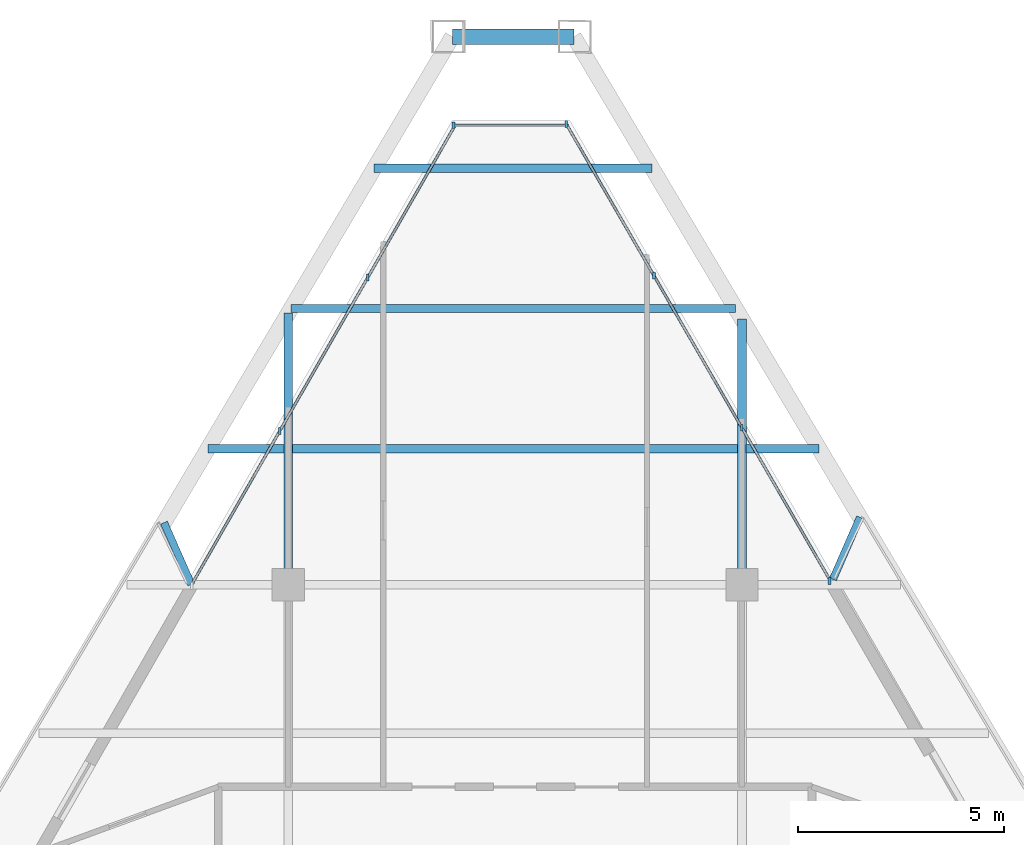
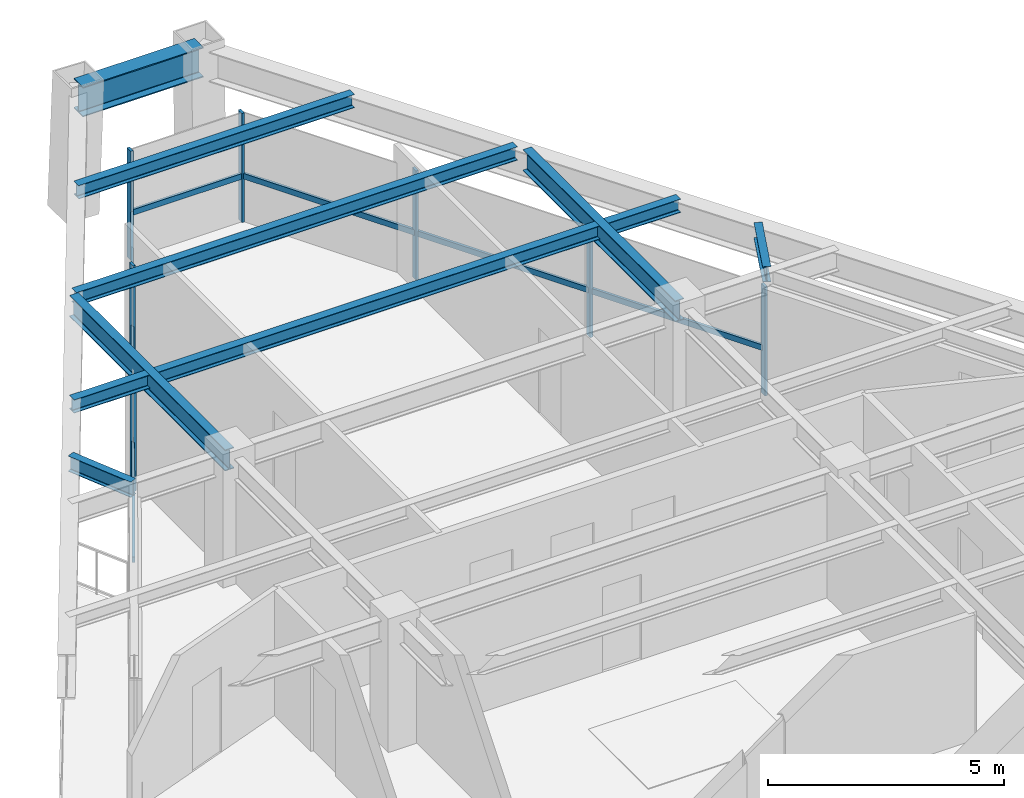
# One storey, part 7 of 13: 14 members, 10 beams, 3 elements without a shape of their own.
"""IFC4 building model written with IfcOpenShell, lengths in metres."""

from ifc_helpers import new_model, si_unit, direction, frame, origin, origin_2d, place, context, subcontext, project, spatial, rectangle, i_section, extrude, source, transform, mapped, material, material_profile, profile_set, type_object, type_shapes, element, aggregate, save


model = new_model("IFC4")

# Units and contexts
model_context = context("Model", 3, precision=1e-05, world=origin(), true_north=direction((0.0, 1.0)))
body_context = subcontext(model_context, "Body", "Model", "MODEL_VIEW")
ifc_project = project(units=[si_unit("LENGTHUNIT", "METRE"), si_unit("AREAUNIT", "SQUARE_METRE"), si_unit("VOLUMEUNIT", "CUBIC_METRE"), si_unit("PLANEANGLEUNIT", "RADIAN"), si_unit("MASSUNIT", "GRAM", prefix="KILO")], contexts=[model_context])

# Site, building, storey
site_placement = place(None, origin())
site = spatial("IfcSite", under=ifc_project, at=site_placement, CompositionType="ELEMENT")
building_placement = place(site_placement, origin())
building = spatial("IfcBuilding", under=site, at=building_placement, Name="Varnakhor Terracotta Tower", CompositionType="ELEMENT")
storey_placement = place(building_placement, frame((0.0, 0.0, 293.699951171875)))
storey = spatial("IfcBuildingStorey", under=building, at=storey_placement, Name="L77", CompositionType="ELEMENT", Elevation=293.699951171875)

# Beams
ifc_material_1 = material(Name="Steel S355", Category="steel")
ifc_material_profile_1 = material_profile(ifc_material_1, i_section(OverallWidth=0.202880859375, OverallDepth=0.346923828125, WebThickness=0.0078125, FlangeThickness=0.013427734375, FilletRadius=0.01806640625, at=origin_2d()), Name="W14X43")
ifc_profile_set_1 = profile_set([ifc_material_profile_1], Name="Steel S355")
beam_type_1 = type_object("IfcBeamType", Name="JST-W14X43", PredefinedType="JOIST", material=ifc_profile_set_1)
shared_shape_1 = source(origin(), body_context, "Body", "SweptSolid", [
    extrude(i_section(OverallWidth=0.202880859375, OverallDepth=0.346923828125, WebThickness=0.0078125, FlangeThickness=0.013427734375, FilletRadius=0.01806640625, at=origin_2d()), origin(), (0.0, 0.0, 1.0), 10.7939453125),
])
beam_1_placement = place(storey_placement, frame((-5.39697265625, 34.800048828125, 3.066650390625), z_axis=(1.0, 0.0, 0.0), x_axis=(0.0, 1.0, 0.0)))
element("IfcBeam", 1, at=beam_1_placement, inside=storey, type_object=beam_type_1, Name="L77 Composite Floor Joist 7-2", PredefinedType="JOIST", context=body_context, shape_type="MappedRepresentation", body=[
    mapped(shared_shape_1, transform((0.0, 0.0, 0.0), scale=1.0)),
])
shared_shape_2 = source(origin(), body_context, "Body", "SweptSolid", [
    extrude(i_section(OverallWidth=0.202880859375, OverallDepth=0.346923828125, WebThickness=0.0078125, FlangeThickness=0.013427734375, FilletRadius=0.01806640625, at=origin_2d()), origin(), (0.0, 0.0, 1.0), 6.74169921875),
])
beam_2_placement = place(storey_placement, frame((-3.416259765625, 41.60009765625, 3.066650390625), z_axis=(1.0, 0.0, 0.0), x_axis=(0.0, 1.0, 0.0)))
element("IfcBeam", 2, at=beam_2_placement, inside=storey, type_object=beam_type_1, Name="L77 Composite Floor Joist 9-1", PredefinedType="JOIST", context=body_context, shape_type="MappedRepresentation", body=[
    mapped(shared_shape_2, transform((0.0, 0.0, 0.0), scale=1.0)),
])
ifc_material_profile_2 = material_profile(ifc_material_1, i_section(OverallWidth=0.381103515625, OverallDepth=0.77294921875, WebThickness=0.01708984375, FlangeThickness=0.027099609375, FilletRadius=0.01806640625, at=origin_2d()), Name="W30X173")
ifc_profile_set_2 = profile_set([ifc_material_profile_2], Name="Steel S355")
beam_type_2 = type_object("IfcBeamType", Name="BM-W30X173", PredefinedType="BEAM", material=ifc_profile_set_2)
shared_shape_3 = source(origin(), body_context, "Body", "SweptSolid", [
    extrude(i_section(OverallWidth=0.381103515625, OverallDepth=0.77294921875, WebThickness=0.01708984375, FlangeThickness=0.027099609375, FilletRadius=0.01806640625, at=origin_2d()), origin(), (0.0, 0.0, 1.0), 2.945068359375),
])
beam_3_placement = place(storey_placement, frame((1.423583984375, 44.793212890625, 2.853515625), z_axis=(-1.0, 0.0, 0.0), x_axis=(0.0, -1.0, 0.0)))
element("IfcBeam", 3, at=beam_3_placement, inside=storey, type_object=beam_type_2, Name="L77 Perimeter Spandrel 5", PredefinedType="BEAM", context=body_context, shape_type="MappedRepresentation", body=[
    mapped(shared_shape_3, transform((0.0, 0.0, 0.0), scale=1.0)),
])
ifc_material_profile_3 = material_profile(ifc_material_1, i_section(OverallWidth=0.214111328125, OverallDepth=0.549072265625, WebThickness=0.014892578125, FlangeThickness=0.02392578125, FilletRadius=0.01806640625, at=origin_2d()), Name="W21X93")
ifc_profile_set_3 = profile_set([ifc_material_profile_3], Name="Steel S355")
beam_type_3 = type_object("IfcBeamType", Name="BM-W21X93", PredefinedType="BEAM", material=ifc_profile_set_3)
shared_shape_4 = source(origin(), body_context, "Body", "SweptSolid", [
    extrude(i_section(OverallWidth=0.214111328125, OverallDepth=0.549072265625, WebThickness=0.014892578125, FlangeThickness=0.02392578125, FilletRadius=0.01806640625, at=origin_2d()), origin(), (0.0, 0.0, 1.0), 6.58837890625),
])
beam_4_placement = place(storey_placement, frame((-5.5, 31.5, 2.965576171875), z_axis=(0.0, 1.0, 0.0), x_axis=(-1.0, 0.0, 0.0)))
element("IfcBeam", 4, at=beam_4_placement, inside=storey, type_object=beam_type_3, Name="L77 Primary Girder NS3-W", PredefinedType="BEAM", context=body_context, shape_type="MappedRepresentation", body=[
    mapped(shared_shape_4, transform((0.0, 0.0, 0.0), scale=1.0)),
])
shared_shape_5 = source(origin(), body_context, "Body", "SweptSolid", [
    extrude(i_section(OverallWidth=0.214111328125, OverallDepth=0.549072265625, WebThickness=0.014892578125, FlangeThickness=0.02392578125, FilletRadius=0.01806640625, at=origin_2d()), origin(), (0.0, 0.0, 1.0), 6.448974609375),
])
beam_5_placement = place(storey_placement, frame((5.5, 31.5, 2.965576171875), z_axis=(0.0, 1.0, 0.0), x_axis=(-1.0, 0.0, 0.0)))
element("IfcBeam", 5, at=beam_5_placement, inside=storey, type_object=beam_type_3, Name="L77 Primary Girder NS3-E", PredefinedType="BEAM", context=body_context, shape_type="MappedRepresentation", body=[
    mapped(shared_shape_5, transform((0.0, 0.0, 0.0), scale=1.0)),
])
shared_shape_6 = source(origin(), body_context, "Body", "SweptSolid", [
    extrude(i_section(OverallWidth=0.202880859375, OverallDepth=0.346923828125, WebThickness=0.0078125, FlangeThickness=0.013427734375, FilletRadius=0.01806640625, at=origin_2d()), origin(), (0.0, 0.0, 1.0), 1.848388671875),
])
beam_6_placement = place(storey_placement, frame((-7.451416015625, 34.800048828125, 3.066650390625), z_axis=(1.0, 0.0, 0.0), x_axis=(0.0, 1.0, 0.0)))
element("IfcBeam", 6, at=beam_6_placement, inside=storey, type_object=beam_type_1, Name="L77 Composite Floor Joist 7-1", PredefinedType="JOIST", context=body_context, shape_type="MappedRepresentation", body=[
    mapped(shared_shape_6, transform((0.0, 0.0, 0.0), scale=1.0)),
])
shared_shape_7 = source(origin(), body_context, "Body", "SweptSolid", [
    extrude(i_section(OverallWidth=0.202880859375, OverallDepth=0.346923828125, WebThickness=0.0078125, FlangeThickness=0.013427734375, FilletRadius=0.01806640625, at=origin_2d()), origin(), (0.0, 0.0, 1.0), 1.7724609375),
])
beam_7_placement = place(storey_placement, frame((5.60302734375, 34.800048828125, 3.066650390625), z_axis=(1.0, 0.0, 0.0), x_axis=(0.0, 1.0, 0.0)))
element("IfcBeam", 7, at=beam_7_placement, inside=storey, type_object=beam_type_1, Name="L77 Composite Floor Joist 7-3", PredefinedType="JOIST", context=body_context, shape_type="MappedRepresentation", body=[
    mapped(shared_shape_7, transform((0.0, 0.0, 0.0), scale=1.0)),
])
shared_shape_8 = source(origin(), body_context, "Body", "SweptSolid", [
    extrude(i_section(OverallWidth=0.202880859375, OverallDepth=0.346923828125, WebThickness=0.0078125, FlangeThickness=0.013427734375, FilletRadius=0.01806640625, at=origin_2d()), origin(), (0.0, 0.0, 1.0), 10.7841796875),
])
beam_8_placement = place(storey_placement, frame((-5.433837890625, 38.199951171875, 3.066650390625), z_axis=(1.0, 0.0, 0.0), x_axis=(0.0, 1.0, 0.0)))
element("IfcBeam", 8, at=beam_8_placement, inside=storey, type_object=beam_type_1, Name="L77 Composite Floor Joist 8-1", PredefinedType="JOIST", context=body_context, shape_type="MappedRepresentation", body=[
    mapped(shared_shape_8, transform((0.0, 0.0, 0.0), scale=1.0)),
])

# Curtain wall, members
ifc_material_2 = material(Name="Anodised Aluminium Curtain Wall System", Category="aluminium")
curtain_wall_type = type_object("IfcCurtainWallType", Name="CW-SYS-HOTEL-LOGGIA", PredefinedType="NOTDEFINED", material=ifc_material_2)
curtain_wall_1_placement = place(storey_placement, origin())
curtain_wall_1 = element("IfcCurtainWall", 9, at=curtain_wall_1_placement, inside=storey, type_object=curtain_wall_type, Name="L77 W Facet Curtain Wall 2", PredefinedType="NOTDEFINED")
ifc_material_3 = material(Name="Anodised Aluminium 6063-T6", Category="aluminium")
ifc_material_profile_4 = material_profile(ifc_material_3, rectangle(XDim=0.06494140625, YDim=0.159912109375, at=origin_2d()), Name="ALU MULLION 65x160")
ifc_profile_set_4 = profile_set([ifc_material_profile_4], Name="Anodised Aluminium 6063-T6")
member_type_1 = type_object("IfcMemberType", Name="CWM-04", PredefinedType="MULLION", material=ifc_profile_set_4)
shared_shape_9 = source(origin(), body_context, "Body", "SweptSolid", [
    extrude(rectangle(XDim=0.06494140625, YDim=0.159912109375, at=origin_2d()), origin(), (0.0, 0.0, 1.0), 2.820068359375),
])
type_shapes(member_type_1, [shared_shape_9])
member_1_placement = place(storey_placement, frame((-5.706787109375, 35.229248046875, 0.0), z_axis=(0.0, 0.0, 1.0), x_axis=(1.0, 0.0, 0.0)))
member_1 = element("IfcMember", 10, at=member_1_placement, type_object=member_type_1, Name="L77 W Facet Curtain Wall 2 Mullion 2", PredefinedType="MULLION", context=body_context, shape_type="MappedRepresentation", body=[
    mapped(shared_shape_9, transform((0.0, 0.0, 0.0), scale=1.0)),
])
member_2_placement = place(storey_placement, frame((-3.5712890625, 38.9521484375, 0.0), z_axis=(0.0, 0.0, 1.0), x_axis=(1.0, 0.0, 0.0)))
member_2 = element("IfcMember", 11, at=member_2_placement, type_object=member_type_1, Name="L77 W Facet Curtain Wall 2 Mullion 3", PredefinedType="MULLION", context=body_context, shape_type="MappedRepresentation", body=[
    mapped(shared_shape_9, transform((0.0, 0.0, 0.0), scale=1.0)),
])

# Curtain wall, member
curtain_wall_2_placement = place(storey_placement, origin())
curtain_wall_2 = element("IfcCurtainWall", 12, at=curtain_wall_2_placement, inside=storey, type_object=curtain_wall_type, Name="L77 Facet Curtain Wall 2", PredefinedType="NOTDEFINED")
member_3_placement = place(storey_placement, frame((-1.494873046875, 42.640869140625, 0.0), z_axis=(0.0, 0.0, 1.0), x_axis=(1.0, 0.0, 0.0)))
member_3 = element("IfcMember", 13, at=member_3_placement, type_object=member_type_1, Name="L77 Facet Curtain Wall 2 Mullion 1", PredefinedType="MULLION", context=body_context, shape_type="MappedRepresentation", body=[
    mapped(shared_shape_9, transform((0.0, 0.0, 0.0), scale=1.0)),
])

# Curtain wall, members
curtain_wall_3_placement = place(storey_placement, origin())
curtain_wall_3 = element("IfcCurtainWall", 14, at=curtain_wall_3_placement, inside=storey, type_object=curtain_wall_type, Name="L77 E Facet Curtain Wall 1", PredefinedType="NOTDEFINED")
member_4_placement = place(storey_placement, frame((1.24169921875, 42.6748046875, 0.0), z_axis=(0.0, 0.0, 1.0), x_axis=(1.0, 0.0, 0.0)))
member_4 = element("IfcMember", 15, at=member_4_placement, type_object=member_type_1, Name="L77 E Facet Curtain Wall 1 Mullion 1", PredefinedType="MULLION", context=body_context, shape_type="MappedRepresentation", body=[
    mapped(shared_shape_9, transform((0.0, 0.0, 0.0), scale=1.0)),
])
member_5_placement = place(storey_placement, frame((3.37060546875, 38.992919921875, 0.0), z_axis=(0.0, 0.0, 1.0), x_axis=(1.0, 0.0, 0.0)))
member_5 = element("IfcMember", 16, at=member_5_placement, type_object=member_type_1, Name="L77 E Facet Curtain Wall 1 Mullion 2", PredefinedType="MULLION", context=body_context, shape_type="MappedRepresentation", body=[
    mapped(shared_shape_9, transform((0.0, 0.0, 0.0), scale=1.0)),
])
member_6_placement = place(storey_placement, frame((5.499267578125, 35.310791015625, 0.0), z_axis=(0.0, 0.0, 1.0), x_axis=(1.0, 0.0, 0.0)))
member_6 = element("IfcMember", 17, at=member_6_placement, type_object=member_type_1, Name="L77 E Facet Curtain Wall 1 Mullion 3", PredefinedType="MULLION", context=body_context, shape_type="MappedRepresentation", body=[
    mapped(shared_shape_9, transform((0.0, 0.0, 0.0), scale=1.0)),
])
member_7_placement = place(storey_placement, frame((7.625732421875, 31.593017578125, 0.0), z_axis=(0.0, 0.0, 1.0), x_axis=(1.0, 0.0, 0.0)))
member_7 = element("IfcMember", 18, at=member_7_placement, type_object=member_type_1, Name="L77 E Loggia Jamb Closure Mullion 1", PredefinedType="MULLION", context=body_context, shape_type="MappedRepresentation", body=[
    mapped(shared_shape_9, transform((0.0, 0.0, 0.0), scale=1.0)),
])
ifc_material_profile_5 = material_profile(ifc_material_3, rectangle(XDim=0.06494140625, YDim=0.14501953125, at=origin_2d()), Name="ALU TRANSOM 65x145")
ifc_profile_set_5 = profile_set([ifc_material_profile_5], Name="Anodised Aluminium 6063-T6")
member_type_2 = type_object("IfcMemberType", Name="CWT-04", PredefinedType="USERDEFINED", material=ifc_profile_set_5)
shared_shape_10 = source(origin(), body_context, "Body", "SweptSolid", [
    extrude(rectangle(XDim=0.06494140625, YDim=0.14501953125, at=origin_2d()), origin(), (0.0, 0.0, 1.0), 4.253173828125),
])
member_8_placement = place(storey_placement, frame((1.24169921875, 42.6748046875, 1.1845703125), z_axis=(0.500558744635, -0.865702572001, 0.0), x_axis=(0.865702572001, 0.500558744635, 0.0)))
member_8 = element("IfcMember", 19, at=member_8_placement, type_object=member_type_2, Name="L77 E Facet Curtain Wall 1 Transom 1", ObjectType="TRANSOM", PredefinedType="USERDEFINED", context=body_context, shape_type="MappedRepresentation", body=[
    mapped(shared_shape_10, transform((0.0, 0.0, 0.0), scale=1.0)),
])
member_9_placement = place(storey_placement, frame((3.37060546875, 38.992919921875, 1.1845703125), z_axis=(0.50049084901, -0.865741826445, 0.0), x_axis=(0.865741826445, 0.50049084901, 0.0)))
member_9 = element("IfcMember", 20, at=member_9_placement, type_object=member_type_2, Name="L77 E Facet Curtain Wall 1 Transom 2", ObjectType="TRANSOM", PredefinedType="USERDEFINED", context=body_context, shape_type="MappedRepresentation", body=[
    mapped(shared_shape_10, transform((0.0, 0.0, 0.0), scale=1.0)),
])
member_10_placement = place(storey_placement, frame((5.499267578125, 35.310791015625, 1.1845703125), z_axis=(0.500558744635, -0.865702572001, 0.0), x_axis=(0.865702572001, 0.500558744635, 0.0)))
member_10 = element("IfcMember", 21, at=member_10_placement, type_object=member_type_2, Name="L77 E Facet Curtain Wall 1 Transom 3", ObjectType="TRANSOM", PredefinedType="USERDEFINED", context=body_context, shape_type="MappedRepresentation", body=[
    mapped(shared_shape_10, transform((0.0, 0.0, 0.0), scale=1.0)),
])
aggregate(curtain_wall_3, [member_4, member_8, member_5, member_9, member_6, member_10, member_7])

# Member
shared_shape_11 = source(origin(), body_context, "Body", "SweptSolid", [
    extrude(rectangle(XDim=0.06494140625, YDim=0.14501953125, at=origin_2d()), origin(), (0.0, 0.0, 1.0), 4.2919921875),
])
member_11_placement = place(storey_placement, frame((-5.706787109375, 35.229248046875, 1.1845703125), z_axis=(0.497565622412, 0.867426337734, 0.0), x_axis=(-0.867426337734, 0.497565622412, 0.0)))
member_11 = element("IfcMember", 22, at=member_11_placement, type_object=member_type_2, Name="L77 W Facet Curtain Wall 2 Transom 2", ObjectType="TRANSOM", PredefinedType="USERDEFINED", context=body_context, shape_type="MappedRepresentation", body=[
    mapped(shared_shape_11, transform((0.0, 0.0, 0.0), scale=1.0)),
])

member_12_placement = place(storey_placement, frame((-3.5712890625, 38.9521484375, 1.1845703125), z_axis=(0.497565622412, 0.867426337734, 0.0), x_axis=(-0.867426337734, 0.497565622412, 0.0)))
member_12 = element("IfcMember", 23, at=member_12_placement, type_object=member_type_2, Name="L77 W Facet Curtain Wall 2 Transom 3", ObjectType="TRANSOM", PredefinedType="USERDEFINED", context=body_context, shape_type="MappedRepresentation", body=[
    mapped(shared_shape_11, transform((0.0, 0.0, 0.0), scale=1.0)),
])

shared_shape_12 = source(origin(), body_context, "Body", "SweptSolid", [
    extrude(rectangle(XDim=0.06494140625, YDim=0.14501953125, at=origin_2d()), origin(), (0.0, 0.0, 1.0), 4.292236328125),
])
member_13_placement = place(storey_placement, frame((-7.842529296875, 31.506103515625, 1.1845703125), z_axis=(0.49758387085, 0.867415869966, 0.0), x_axis=(-0.867415869966, 0.49758387085, 0.0)))
member_13 = element("IfcMember", 24, at=member_13_placement, type_object=member_type_2, Name="L77 W Facet Curtain Wall 2 Transom 1", ObjectType="TRANSOM", PredefinedType="USERDEFINED", context=body_context, shape_type="MappedRepresentation", body=[
    mapped(shared_shape_12, transform((0.0, 0.0, 0.0), scale=1.0)),
])

aggregate(curtain_wall_1, [member_13, member_1, member_11, member_2, member_12])

shared_shape_13 = source(origin(), body_context, "Body", "SweptSolid", [
    extrude(rectangle(XDim=0.06494140625, YDim=0.14501953125, at=origin_2d()), origin(), (0.0, 0.0, 1.0), 2.79541015625),
])
member_14_placement = place(storey_placement, frame((-1.494873046875, 42.640869140625, 1.1845703125), z_axis=(1.0, 0.0, 0.0), x_axis=(0.0, 1.0, 0.0)))
member_14 = element("IfcMember", 25, at=member_14_placement, type_object=member_type_2, Name="L77 Facet Curtain Wall 2 Transom 1", ObjectType="TRANSOM", PredefinedType="USERDEFINED", context=body_context, shape_type="MappedRepresentation", body=[
    mapped(shared_shape_13, transform((0.0, 0.0, 0.0), scale=1.0)),
])

aggregate(curtain_wall_2, [member_3, member_14])

# Beams
ifc_material_profile_6 = material_profile(ifc_material_1, i_section(OverallWidth=0.179931640625, OverallDepth=0.39990234375, WebThickness=0.008544921875, FlangeThickness=0.013427734375, FilletRadius=0.01806640625, at=origin_2d()), Name="IPE400")
ifc_profile_set_6 = profile_set([ifc_material_profile_6], Name="Steel S355")
beam_type_4 = type_object("IfcBeamType", Name="JST-IPE400", PredefinedType="JOIST", material=ifc_profile_set_6)
shared_shape_14 = source(origin(), body_context, "Body", "SweptSolid", [
    extrude(i_section(OverallWidth=0.179931640625, OverallDepth=0.39990234375, WebThickness=0.008544921875, FlangeThickness=0.013427734375, FilletRadius=0.01806640625, at=origin_2d()), origin(), (0.0, 0.0, 1.0), 1.64453125),
])
beam_9_placement = place(storey_placement, frame((7.707275390625, 31.631103515625, 3.0400390625), z_axis=(0.399930851611, 0.916545314717, 0.0), x_axis=(-0.916545314717, 0.399930851611, 0.0)))
element("IfcBeam", 26, at=beam_9_placement, inside=storey, type_object=beam_type_4, Name="L78 E Loggia Tie Beam 1", PredefinedType="JOIST", context=body_context, shape_type="MappedRepresentation", body=[
    mapped(shared_shape_14, transform((0.0, 0.0, 0.0), scale=1.0)),
])
shared_shape_15 = source(origin(), body_context, "Body", "SweptSolid", [
    extrude(i_section(OverallWidth=0.179931640625, OverallDepth=0.39990234375, WebThickness=0.008544921875, FlangeThickness=0.013427734375, FilletRadius=0.01806640625, at=origin_2d()), origin(), (0.0, 0.0, 1.0), 1.6416015625),
])
beam_10_placement = place(storey_placement, frame((-7.850830078125, 31.506591796875, 3.0400390625), z_axis=(-0.404357707856, 0.914600920674, 0.0), x_axis=(-0.914600920674, -0.404357707856, 0.0)))
element("IfcBeam", 27, at=beam_10_placement, inside=storey, type_object=beam_type_4, Name="L78 W Loggia Tie Beam 2", PredefinedType="JOIST", context=body_context, shape_type="MappedRepresentation", body=[
    mapped(shared_shape_15, transform((0.0, 0.0, 0.0), scale=1.0)),
])

save(model, "model.ifc")
